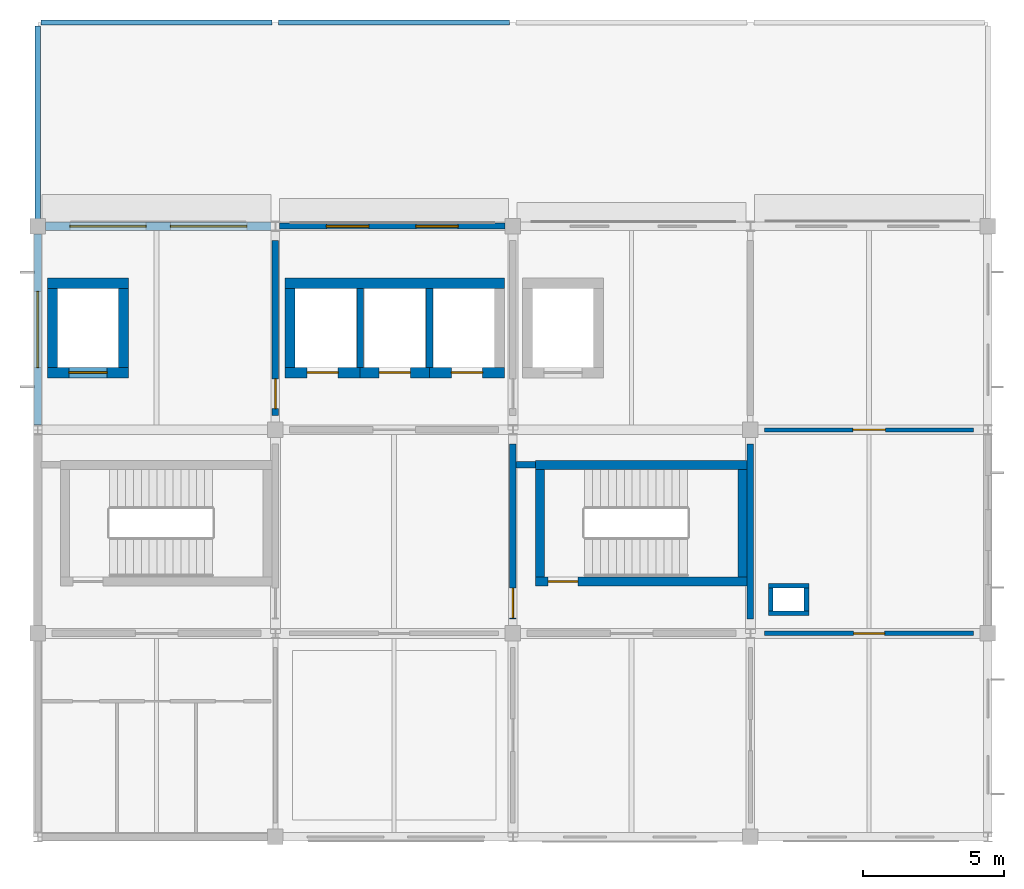
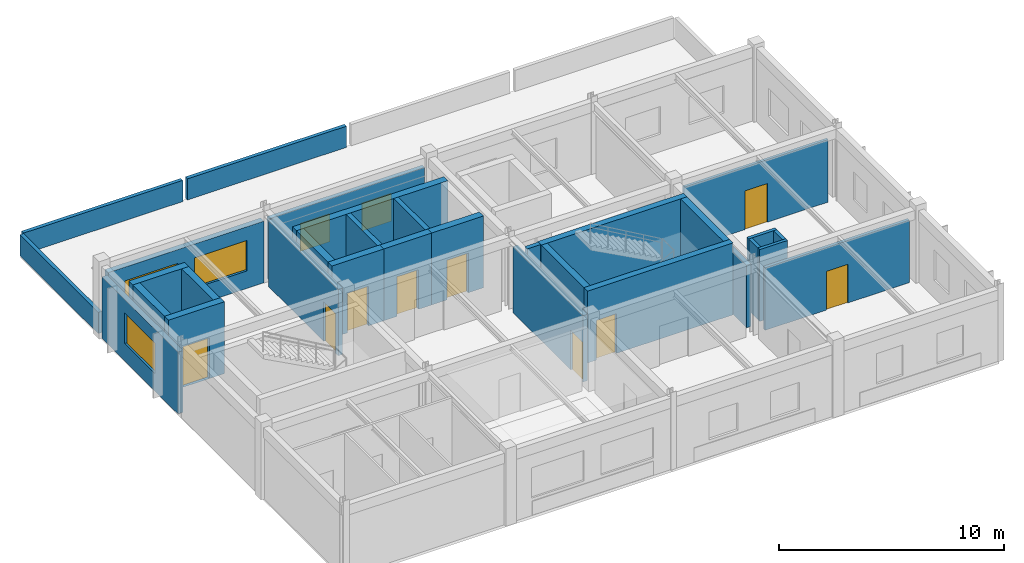
# One storey, part 3 of 5: 31 walls, 9 doors, 5 windows, 14 openings.
"""IFC4 building model written with IfcOpenShell, lengths in metres."""

from ifc_helpers import new_model, si_unit, derived_unit, direction, frame, frame_2d, origin, place, context, subcontext, project, spatial, rectangle, extrude, material, layer, layer_set, type_object, element, fill, save


model = new_model("IFC4")

# Units and contexts
model_context = context("Model", 3, precision=1e-05, world=origin(), true_north=direction((0.0, 1.0)))
body_context = subcontext(model_context, "Body", "Model", "MODEL_VIEW")
ifc_project = project(units=[si_unit("LENGTHUNIT", "METRE"), si_unit("AREAUNIT", "SQUARE_METRE"), si_unit("VOLUMEUNIT", "CUBIC_METRE"), si_unit("PLANEANGLEUNIT", "RADIAN"), si_unit("MASSUNIT", "GRAM", prefix="KILO"), derived_unit("THERMALTRANSMITTANCEUNIT", [(si_unit("MASSUNIT", "GRAM", prefix="KILO"), 1), (si_unit("TIMEUNIT", "SECOND"), -3), (si_unit("THERMODYNAMICTEMPERATUREUNIT", "KELVIN"), -1)])], contexts=[model_context])

# Site, building, storey
site_placement = place(None, origin())
site = spatial("IfcSite", under=ifc_project, at=site_placement, CompositionType="ELEMENT")
building_placement = place(site_placement, origin())
building = spatial("IfcBuilding", under=site, at=building_placement, Name="Veldstrom Oceanarium and Marine Research Institute", CompositionType="ELEMENT")
storey_placement = place(building_placement, frame((0.0, 0.0, 64.800048828125)))
storey = spatial("IfcBuildingStorey", under=building, at=storey_placement, Name="L14", CompositionType="ELEMENT", Elevation=64.800048828125)

# Wall, openings, windows
ifc_material_1 = material(Name="Masonry Cavity Wall", Category="masonry")
ifc_layer_1 = layer(ifc_material_1, 0.2900390625)
ifc_layer_set_1 = layer_set([ifc_layer_1], Name="ARC-WAL-EW2")
wall_type_1 = type_object("IfcWallType", Name="ARC-WAL-EW2", PredefinedType="SOLIDWALL", material=ifc_layer_set_1)
wall_1_placement = place(storey_placement, frame((75.875, 64.800048828125, 0.0), z_axis=(0.0, 0.0, 1.0), x_axis=(1.0, 0.0, 0.0)))
wall_1 = element("IfcWall", 1, at=wall_1_placement, inside=storey, type_object=wall_type_1, Name="Exterior Facade Wall EW2 L14-270", PredefinedType="SOLIDWALL", context=body_context, shape_type="SweptSolid", body=[
    extrude(rectangle(XDim=7.97509765625, YDim=0.2900390625, at=frame_2d((3.987548828125, 0.0))), origin(), (0.0, 0.0, 1.0), 3.344970703125),
])
opening_1_placement = place(wall_1_placement, frame((0.8583984375, 0.0, 0.949951171875)))
opening_1 = element("IfcOpeningElement", 2, at=opening_1_placement, cuts=wall_1, Name="Opening W25", PredefinedType="OPENING", context=body_context, shape_type="SweptSolid", body=[
    extrude(rectangle(XDim=2.699951171875, YDim=1.64990234375, at=frame_2d((1.35009765625, 0.824951171875))), frame((0.0, 0.155029296875, 0.0), z_axis=(0.0, -1.0, 0.0), x_axis=(1.0, 0.0, 0.0)), (0.0, 0.0, 1.0), 0.31005859375),
])
opening_2_placement = place(wall_1_placement, frame((4.416748046875, 0.0, 0.949951171875)))
opening_2 = element("IfcOpeningElement", 3, at=opening_2_placement, cuts=wall_1, Name="Opening W25", PredefinedType="OPENING", context=body_context, shape_type="SweptSolid", body=[
    extrude(rectangle(XDim=2.699951171875, YDim=1.64990234375, at=frame_2d((1.35009765625, 0.824951171875))), frame((0.0, 0.155029296875, 0.0), z_axis=(0.0, -1.0, 0.0), x_axis=(1.0, 0.0, 0.0)), (0.0, 0.0, 1.0), 0.31005859375),
])
ifc_material_2 = material(Name="Double Glazed Low-E IGU", Category="glass")
window_type_1 = type_object("IfcWindowType", Name="ARC-WIN-W25", PartitioningType="SINGLE_PANEL", PredefinedType="WINDOW", material=ifc_material_2)
window_1_placement = place(opening_1_placement, origin())
window_1 = element("IfcWindow", 4, at=window_1_placement, inside=storey, type_object=window_type_1, Name="Facade Window W25 L14-0259", OverallHeight=1.64990234375, OverallWidth=2.699951171875, PartitioningType="SINGLE_PANEL", PredefinedType="WINDOW", context=body_context, shape_type="SweptSolid", body=[
    extrude(rectangle(XDim=2.699951171875, YDim=1.64990234375, at=frame_2d((1.35009765625, 0.824951171875))), frame((0.0, 0.030029296875, 0.0), z_axis=(0.0, -1.0, 0.0), x_axis=(1.0, 0.0, 0.0)), (0.0, 0.0, 1.0), 0.06005859375),
])
fill(opening_1, window_1)
window_2_placement = place(opening_2_placement, origin())
window_2 = element("IfcWindow", 5, at=window_2_placement, inside=storey, type_object=window_type_1, Name="Facade Window W25 L14-0260", OverallHeight=1.64990234375, OverallWidth=2.699951171875, PartitioningType="SINGLE_PANEL", PredefinedType="WINDOW", context=body_context, shape_type="SweptSolid", body=[
    extrude(rectangle(XDim=2.699951171875, YDim=1.64990234375, at=frame_2d((1.35009765625, 0.824951171875))), frame((0.0, 0.030029296875, 0.0), z_axis=(0.0, -1.0, 0.0), x_axis=(1.0, 0.0, 0.0)), (0.0, 0.0, 1.0), 0.06005859375),
])
fill(opening_2, window_2)

# Wall, opening, window
ifc_material_3 = material(Name="Masonry Cavity Wall", Category="masonry")
ifc_layer_2 = layer(ifc_material_3, 0.27001953125)
ifc_layer_set_2 = layer_set([ifc_layer_2], Name="ARC-WAL-EW3")
wall_type_2 = type_object("IfcWallType", Name="ARC-WAL-EW3", PredefinedType="SOLIDWALL", material=ifc_layer_set_2)
wall_2_placement = place(storey_placement, frame((75.60009765625, 57.77001953125, 0.0), z_axis=(0.0, 0.0, 1.0), x_axis=(0.0, 1.0, 0.0)))
wall_2 = element("IfcWall", 6, at=wall_2_placement, inside=storey, type_object=wall_type_2, Name="Exterior Facade Wall EW3 L14-271", PredefinedType="SOLIDWALL", context=body_context, shape_type="SweptSolid", body=[
    extrude(rectangle(XDim=6.7548828125, YDim=0.27001953125, at=frame_2d((3.37744140625, 0.0))), origin(), (0.0, 0.0, 1.0), 3.344970703125),
])
opening_3_placement = place(wall_2_placement, frame((2.027587890625, 0.0, 0.949951171875)))
opening_3 = element("IfcOpeningElement", 7, at=opening_3_placement, cuts=wall_2, Name="Opening W25", PredefinedType="OPENING", context=body_context, shape_type="SweptSolid", body=[
    extrude(rectangle(XDim=2.699951171875, YDim=1.64990234375, at=frame_2d((1.35009765625, 0.824951171875))), frame((0.0, 0.14501953125, 0.0), z_axis=(0.0, -1.0, 0.0), x_axis=(1.0, 0.0, 0.0)), (0.0, 0.0, 1.0), 0.2900390625),
])
window_3_placement = place(opening_3_placement, origin())
window_3 = element("IfcWindow", 8, at=window_3_placement, inside=storey, type_object=window_type_1, Name="Facade Window W25 L14-0261", OverallHeight=1.64990234375, OverallWidth=2.699951171875, PartitioningType="SINGLE_PANEL", PredefinedType="WINDOW", context=body_context, shape_type="SweptSolid", body=[
    extrude(rectangle(XDim=2.699951171875, YDim=1.64990234375, at=frame_2d((1.35009765625, 0.824951171875))), frame((0.0, 0.030029296875, 0.0), z_axis=(0.0, -1.0, 0.0), x_axis=(1.0, 0.0, 0.0)), (0.0, 0.0, 1.0), 0.06005859375),
])
fill(opening_3, window_3)

# Wall, openings, windows
ifc_material_4 = material(Name="Masonry Cavity Wall", Category="masonry")
ifc_layer_3 = layer(ifc_material_4, 0.215087890625)
ifc_layer_set_3 = layer_set([ifc_layer_3], Name="ARC-WAL-EW6")
wall_type_3 = type_object("IfcWallType", Name="ARC-WAL-EW6", PredefinedType="SOLIDWALL", material=ifc_layer_set_3)
wall_3_placement = place(storey_placement, frame((84.14990234375, 64.800048828125, 0.0), z_axis=(0.0, 0.0, 1.0), x_axis=(1.0, 0.0, 0.0)))
wall_3 = element("IfcWall", 9, at=wall_3_placement, inside=storey, type_object=wall_type_3, Name="Exterior Facade Wall EW6 L14-273", PredefinedType="SOLIDWALL", context=body_context, shape_type="SweptSolid", body=[
    extrude(rectangle(XDim=7.97509765625, YDim=0.215087890625, at=frame_2d((3.987548828125, 0.0))), origin(), (0.0, 0.0, 1.0), 3.344970703125),
])
opening_4_placement = place(wall_3_placement, frame((1.658203125, 0.0, 0.949951171875)))
opening_4 = element("IfcOpeningElement", 10, at=opening_4_placement, cuts=wall_3, Name="Opening W15", PredefinedType="OPENING", context=body_context, shape_type="SweptSolid", body=[
    extrude(rectangle(XDim=1.5, YDim=1.5, at=frame_2d((0.75, 0.75))), frame((0.0, 0.117431640625, 0.0), z_axis=(0.0, -1.0, 0.0), x_axis=(1.0, 0.0, 0.0)), (0.0, 0.0, 1.0), 0.235107421875),
])
opening_5_placement = place(wall_3_placement, frame((4.816650390625, 0.0, 0.949951171875)))
opening_5 = element("IfcOpeningElement", 11, at=opening_5_placement, cuts=wall_3, Name="Opening W15", PredefinedType="OPENING", context=body_context, shape_type="SweptSolid", body=[
    extrude(rectangle(XDim=1.5, YDim=1.5, at=frame_2d((0.75, 0.75))), frame((0.0, 0.117431640625, 0.0), z_axis=(0.0, -1.0, 0.0), x_axis=(1.0, 0.0, 0.0)), (0.0, 0.0, 1.0), 0.235107421875),
])
ifc_material_5 = material(Name="Double Glazed Low-E IGU", Category="glass")
window_type_2 = type_object("IfcWindowType", Name="ARC-WIN-W15", PartitioningType="SINGLE_PANEL", PredefinedType="WINDOW", material=ifc_material_5)
window_4_placement = place(opening_4_placement, origin())
window_4 = element("IfcWindow", 12, at=window_4_placement, inside=storey, type_object=window_type_2, Name="Facade Window W15 L14-0264", OverallHeight=1.5, OverallWidth=1.5, PartitioningType="SINGLE_PANEL", PredefinedType="WINDOW", context=body_context, shape_type="SweptSolid", body=[
    extrude(rectangle(XDim=1.5, YDim=1.5, at=frame_2d((0.75, 0.75))), frame((0.0, 0.030029296875, 0.0), z_axis=(0.0, -1.0, 0.0), x_axis=(1.0, 0.0, 0.0)), (0.0, 0.0, 1.0), 0.06005859375),
])
fill(opening_4, window_4)
window_5_placement = place(opening_5_placement, origin())
window_5 = element("IfcWindow", 13, at=window_5_placement, inside=storey, type_object=window_type_2, Name="Facade Window W15 L14-0265", OverallHeight=1.5, OverallWidth=1.5, PartitioningType="SINGLE_PANEL", PredefinedType="WINDOW", context=body_context, shape_type="SweptSolid", body=[
    extrude(rectangle(XDim=1.5, YDim=1.5, at=frame_2d((0.75, 0.75))), frame((0.0, 0.030029296875, 0.0), z_axis=(0.0, -1.0, 0.0), x_axis=(1.0, 0.0, 0.0)), (0.0, 0.0, 1.0), 0.06005859375),
])
fill(opening_5, window_5)

# Walls
ifc_material_6 = material(Name="Masonry Cavity Wall", Category="masonry")
ifc_layer_4 = layer(ifc_material_6, 0.18505859375)
ifc_layer_set_4 = layer_set([ifc_layer_4], Name="ARC-WAL-PR2")
wall_type_4 = type_object("IfcWallType", Name="ARC-WAL-PR2", PredefinedType="PARAPET", material=ifc_layer_set_4)
wall_4_placement = place(storey_placement, frame((75.719970703125, 72.0, 0.0), z_axis=(0.0, 0.0, 1.0), x_axis=(1.0, 0.0, 0.0)))
element("IfcWall", 14, at=wall_4_placement, inside=storey, type_object=wall_type_4, Name="Roof Parapet Wall L13-107", PredefinedType="PARAPET", context=body_context, shape_type="SweptSolid", body=[
    extrude(rectangle(XDim=8.159912109375, YDim=0.18505859375, at=frame_2d((4.080078125, 0.0))), origin(), (0.0, 0.0, 1.0), 1.14990234375),
])
wall_5_placement = place(storey_placement, frame((75.60009765625, 64.919921875, 0.0), z_axis=(0.0, 0.0, 1.0), x_axis=(0.0, 1.0, 0.0)))
element("IfcWall", 15, at=wall_5_placement, inside=storey, type_object=wall_type_4, Name="Roof Parapet Wall L13-108", PredefinedType="PARAPET", context=body_context, shape_type="SweptSolid", body=[
    extrude(rectangle(XDim=6.9599609375, YDim=0.18505859375, at=frame_2d((3.47998046875, 0.0))), origin(), (0.0, 0.0, 1.0), 1.14990234375),
])
wall_6_placement = place(storey_placement, frame((84.1201171875, 72.0, 0.0), z_axis=(0.0, 0.0, 1.0), x_axis=(1.0, 0.0, 0.0)))
element("IfcWall", 16, at=wall_6_placement, inside=storey, type_object=wall_type_4, Name="Roof Parapet Wall L13-109", PredefinedType="PARAPET", context=body_context, shape_type="SweptSolid", body=[
    extrude(rectangle(XDim=8.159912109375, YDim=0.18505859375, at=frame_2d((4.080078125, 0.0))), origin(), (0.0, 0.0, 1.0), 1.14990234375),
])

# Wall, opening, door
ifc_material_7 = material(Name="Masonry Fire Compartment Wall", Category="masonry")
ifc_layer_5 = layer(ifc_material_7, 0.22998046875)
ifc_layer_set_5 = layer_set([ifc_layer_5], Name="ARC-WAL-PT1")
wall_type_5 = type_object("IfcWallType", Name="ARC-WAL-PT1", PredefinedType="PARTITIONING", material=ifc_layer_set_5)
wall_7_placement = place(storey_placement, frame((84.0, 58.10009765625, 0.0), z_axis=(0.0, 0.0, 1.0), x_axis=(0.0, 1.0, 0.0)))
wall_7 = element("IfcWall", 17, at=wall_7_placement, inside=storey, type_object=wall_type_5, Name="Interior Partition PT1 L14-1772", PredefinedType="PARTITIONING", context=body_context, shape_type="SweptSolid", body=[
    extrude(rectangle(XDim=6.199951171875, YDim=0.22998046875, at=frame_2d((3.10009765625, 0.0))), origin(), (0.0, 0.0, 1.0), 3.60498046875),
])
opening_6_placement = place(wall_7_placement, frame((0.25, 0.0, 0.0)))
opening_6 = element("IfcOpeningElement", 18, at=opening_6_placement, cuts=wall_7, Name="Opening D-L14-1096", PredefinedType="OPENING", context=body_context, shape_type="SweptSolid", body=[
    extrude(rectangle(XDim=1.050048828125, YDim=2.14990234375, at=frame_2d((0.52490234375, 1.074951171875))), frame((0.0, 0.125, 0.0), z_axis=(0.0, -1.0, 0.0), x_axis=(1.0, 0.0, 0.0)), (0.0, 0.0, 1.0), 0.25),
])
ifc_material_8 = material(Name="Painted Steel Fire Door", Category="steel")
door_type_1 = type_object("IfcDoorType", Name="ARC-DOR-SD1", OperationType="SINGLE_SWING_LEFT", PredefinedType="DOOR", material=ifc_material_8)
door_1_placement = place(opening_6_placement, origin())
door_1 = element("IfcDoor", 19, at=door_1_placement, inside=storey, type_object=door_type_1, Name="Interior Door D-L14-1096", OperationType="SINGLE_SWING_LEFT", OverallHeight=2.14990234375, OverallWidth=1.050048828125, PredefinedType="DOOR", context=body_context, shape_type="SweptSolid", body=[
    extrude(rectangle(XDim=1.050048828125, YDim=2.14990234375, at=frame_2d((0.52490234375, 1.074951171875))), frame((0.0, 0.02490234375, 0.0), z_axis=(0.0, -1.0, 0.0), x_axis=(1.0, 0.0, 0.0)), (0.0, 0.0, 1.0), 0.050048828125),
])
fill(opening_6, door_1)

wall_8_placement = place(storey_placement, frame((92.39990234375, 50.89990234375, 0.0), z_axis=(0.0, 0.0, 1.0), x_axis=(0.0, 1.0, 0.0)))
wall_8 = element("IfcWall", 20, at=wall_8_placement, inside=storey, type_object=wall_type_5, Name="Interior Partition PT1 L14-1775", PredefinedType="PARTITIONING", context=body_context, shape_type="SweptSolid", body=[
    extrude(rectangle(XDim=6.2001953125, YDim=0.22998046875, at=frame_2d((3.10009765625, 0.0))), origin(), (0.0, 0.0, 1.0), 3.60498046875),
])
opening_7_placement = place(wall_8_placement, frame((0.050048828125, 0.0, 0.0)))
opening_7 = element("IfcOpeningElement", 21, at=opening_7_placement, cuts=wall_8, Name="Opening D-L14-1099", PredefinedType="OPENING", context=body_context, shape_type="SweptSolid", body=[
    extrude(rectangle(XDim=1.050048828125, YDim=2.14990234375, at=frame_2d((0.52490234375, 1.074951171875))), frame((0.0, 0.125, 0.0), z_axis=(0.0, -1.0, 0.0), x_axis=(1.0, 0.0, 0.0)), (0.0, 0.0, 1.0), 0.25),
])
door_2_placement = place(opening_7_placement, origin())
door_2 = element("IfcDoor", 22, at=door_2_placement, inside=storey, type_object=door_type_1, Name="Interior Door D-L14-1099", OperationType="SINGLE_SWING_LEFT", OverallHeight=2.14990234375, OverallWidth=1.050048828125, PredefinedType="DOOR", context=body_context, shape_type="SweptSolid", body=[
    extrude(rectangle(XDim=1.050048828125, YDim=2.14990234375, at=frame_2d((0.52490234375, 1.074951171875))), frame((0.0, 0.02490234375, 0.0), z_axis=(0.0, -1.0, 0.0), x_axis=(1.0, 0.0, 0.0)), (0.0, 0.0, 1.0), 0.050048828125),
])
fill(opening_7, door_2)

# Walls
wall_9_placement = place(storey_placement, frame((100.800048828125, 50.89990234375, 0.0), z_axis=(0.0, 0.0, 1.0), x_axis=(0.0, 1.0, 0.0)))
element("IfcWall", 23, at=wall_9_placement, inside=storey, type_object=wall_type_5, Name="Interior Partition PT1 L14-1780", PredefinedType="PARTITIONING", context=body_context, shape_type="SweptSolid", body=[
    extrude(rectangle(XDim=6.2001953125, YDim=0.22998046875, at=frame_2d((3.10009765625, 0.0))), origin(), (0.0, 0.0, 1.0), 3.39501953125),
])
wall_10_placement = place(storey_placement, frame((92.52001953125, 56.360107421875, 0.0), z_axis=(0.0, 0.0, 1.0), x_axis=(1.0, 0.0, 0.0)))
element("IfcWall", 24, at=wall_10_placement, inside=storey, type_object=wall_type_5, Name="Interior Partition PT1 L14-1781", PredefinedType="PARTITIONING", context=body_context, shape_type="SweptSolid", body=[
    extrude(rectangle(XDim=0.679931640625, YDim=0.22998046875, at=frame_2d((0.33984375, 0.0))), origin(), (0.0, 0.0, 1.0), 3.89990234375),
])

# Wall, opening, door
ifc_material_9 = material(Name="Drywall Corridor Partition", Category="gypsum")
ifc_layer_6 = layer(ifc_material_9, 0.155029296875)
ifc_layer_set_6 = layer_set([ifc_layer_6], Name="ARC-WAL-PT4")
wall_type_6 = type_object("IfcWallType", Name="ARC-WAL-PT4", PredefinedType="PARTITIONING", material=ifc_layer_set_6)
wall_11_placement = place(storey_placement, frame((101.300048828125, 50.39990234375, 0.0), z_axis=(0.0, 0.0, 1.0), x_axis=(1.0, 0.0, 0.0)))
wall_11 = element("IfcWall", 25, at=wall_11_placement, inside=storey, type_object=wall_type_6, Name="Interior Partition PT4 L14-1783", PredefinedType="PARTITIONING", context=body_context, shape_type="SweptSolid", body=[
    extrude(rectangle(XDim=7.39990234375, YDim=0.155029296875, at=frame_2d((3.699951171875, 0.0))), origin(), (0.0, 0.0, 1.0), 3.39501953125),
])
opening_8_placement = place(wall_11_placement, frame((3.14990234375, 0.0, 0.0)))
opening_8 = element("IfcOpeningElement", 26, at=opening_8_placement, cuts=wall_11, Name="Opening D-L14-1104", PredefinedType="OPENING", context=body_context, shape_type="SweptSolid", body=[
    extrude(rectangle(XDim=1.10009765625, YDim=2.10009765625, at=frame_2d((0.550048828125, 1.050048828125))), frame((0.0, 0.08740234375, 0.0), z_axis=(0.0, -1.0, 0.0), x_axis=(1.0, 0.0, 0.0)), (0.0, 0.0, 1.0), 0.175048828125),
])
ifc_material_10 = material(Name="Research Office Door", Category="timber")
door_type_2 = type_object("IfcDoorType", Name="ARC-DOR-ID07", OperationType="SINGLE_SWING_LEFT", PredefinedType="DOOR", material=ifc_material_10)
door_3_placement = place(opening_8_placement, origin())
door_3 = element("IfcDoor", 27, at=door_3_placement, inside=storey, type_object=door_type_2, Name="Interior Door D-L14-1104", OperationType="SINGLE_SWING_LEFT", OverallHeight=2.10009765625, OverallWidth=1.10009765625, PredefinedType="DOOR", context=body_context, shape_type="SweptSolid", body=[
    extrude(rectangle(XDim=1.10009765625, YDim=2.10009765625, at=frame_2d((0.550048828125, 1.050048828125))), frame((0.0, 0.02490234375, 0.0), z_axis=(0.0, -1.0, 0.0), x_axis=(1.0, 0.0, 0.0)), (0.0, 0.0, 1.0), 0.050048828125),
])
fill(opening_8, door_3)

ifc_material_11 = material(Name="Moisture-Resistant Wet-Area Partition", Category="masonry")
ifc_layer_7 = layer(ifc_material_11, 0.139892578125)
ifc_layer_set_7 = layer_set([ifc_layer_7], Name="ARC-WAL-PT5")
wall_type_7 = type_object("IfcWallType", Name="ARC-WAL-PT5", PredefinedType="PARTITIONING", material=ifc_layer_set_7)
wall_12_placement = place(storey_placement, frame((101.300048828125, 57.60009765625, 0.0), z_axis=(0.0, 0.0, 1.0), x_axis=(1.0, 0.0, 0.0)))
wall_12 = element("IfcWall", 28, at=wall_12_placement, inside=storey, type_object=wall_type_7, Name="Interior Partition PT5 L14-1784", PredefinedType="PARTITIONING", context=body_context, shape_type="SweptSolid", body=[
    extrude(rectangle(XDim=7.39990234375, YDim=0.139892578125, at=frame_2d((3.699951171875, 0.0))), origin(), (0.0, 0.0, 1.0), 3.39501953125),
])
opening_9_placement = place(wall_12_placement, frame((3.125, 0.0, 0.0)))
opening_9 = element("IfcOpeningElement", 29, at=opening_9_placement, cuts=wall_12, Name="Opening D-L14-1105", PredefinedType="OPENING", context=body_context, shape_type="SweptSolid", body=[
    extrude(rectangle(XDim=1.14990234375, YDim=2.10009765625, at=frame_2d((0.574951171875, 1.050048828125))), frame((0.0, 0.079833984375, 0.0), z_axis=(0.0, -1.0, 0.0), x_axis=(1.0, 0.0, 0.0)), (0.0, 0.0, 1.0), 0.159912109375),
])
ifc_material_12 = material(Name="Fellows Studio Door", Category="timber")
door_type_3 = type_object("IfcDoorType", Name="ARC-DOR-ID17", OperationType="SINGLE_SWING_LEFT", PredefinedType="DOOR", material=ifc_material_12)
door_4_placement = place(opening_9_placement, frame((1.14990234375, 0.0, 0.0), z_axis=(0.0, 0.0, 1.0), x_axis=(-1.0, 0.0, 0.0)))
door_4 = element("IfcDoor", 30, at=door_4_placement, inside=storey, type_object=door_type_3, Name="Interior Door D-L14-1105", OperationType="SINGLE_SWING_LEFT", OverallHeight=2.10009765625, OverallWidth=1.14990234375, PredefinedType="DOOR", context=body_context, shape_type="SweptSolid", body=[
    extrude(rectangle(XDim=1.14990234375, YDim=2.10009765625, at=frame_2d((0.574951171875, 1.050048828125))), frame((0.0, 0.02490234375, 0.0), z_axis=(0.0, -1.0, 0.0), x_axis=(1.0, 0.0, 0.0)), (0.0, 0.0, 1.0), 0.050048828125),
])
fill(opening_9, door_4)

# Walls
ifc_material_13 = material(Name="Service Riser Fire Shaft Wall", Category="masonry")
ifc_layer_8 = layer(ifc_material_13, 0.1650390625)
ifc_layer_set_8 = layer_set([ifc_layer_8], Name="ARC-WAL-PT9")
wall_type_8 = type_object("IfcWallType", Name="ARC-WAL-PT9", PredefinedType="PARTITIONING", material=ifc_layer_set_8)
for number, where, z_axis, x_axis, name in (
    (31, (101.43505859375, 51.117431640625, 0.0), (0.0, 0.0, 1.0), (1.0, 0.0, 0.0), "Service Riser Fire Shaft Wall L14-CE-S"),
    (32, (101.43505859375, 52.08251953125, 0.0), (0.0, 0.0, 1.0), (1.0, 0.0, 0.0), "Service Riser Fire Shaft Wall L14-CE-N"),
):
    element("IfcWall", number, at=place(storey_placement, frame(where, z_axis=z_axis, x_axis=x_axis)), inside=storey, type_object=wall_type_8, Name=name, PredefinedType="PARTITIONING", context=body_context, shape_type="SweptSolid", body=[
        extrude(rectangle(XDim=1.429931640625, YDim=0.1650390625, at=frame_2d((0.71484375, 0.0))), origin(), (0.0, 0.0, 1.0), 3.89990234375),
    ])
for number, where, z_axis, x_axis, name in (
    (33, (101.517578125, 51.199951171875, 0.0), (0.0, 0.0, 1.0), (0.0, 1.0, 0.0), "Service Riser Fire Shaft Wall L14-CE-W"),
    (34, (102.782470703125, 51.199951171875, 0.0), (0.0, 0.0, 1.0), (0.0, 1.0, 0.0), "Service Riser Fire Shaft Wall L14-CE-E"),
):
    element("IfcWall", number, at=place(storey_placement, frame(where, z_axis=z_axis, x_axis=x_axis)), inside=storey, type_object=wall_type_8, Name=name, PredefinedType="PARTITIONING", context=body_context, shape_type="SweptSolid", body=[
        extrude(rectangle(XDim=0.800048828125, YDim=0.1650390625, at=frame_2d((0.39990234375, 0.0))), origin(), (0.0, 0.0, 1.0), 3.89990234375),
    ])
ifc_material_14 = material(Name="Concrete C40/50", Category="concrete")
ifc_layer_9 = layer(ifc_material_14, 0.360107421875)
ifc_layer_set_9 = layer_set([ifc_layer_9], Name="STR-WAL-WC2")
wall_type_9 = type_object("IfcWallType", Name="STR-WAL-WC2", PredefinedType="SHEAR", material=ifc_layer_set_9)
wall_13_placement = place(storey_placement, frame((75.93994140625, 62.780029296875, 0.0), z_axis=(0.0, 0.0, 1.0), x_axis=(1.0, 0.0, 0.0)))
element("IfcWall", 35, at=wall_13_placement, inside=storey, type_object=wall_type_9, Name="Lift Shaft Shear Wall N L14 9/8", PredefinedType="SHEAR", context=body_context, shape_type="SweptSolid", body=[
    extrude(rectangle(XDim=2.8701171875, YDim=0.360107421875, at=frame_2d((1.43505859375, 0.0))), origin(), (0.0, 0.0, 1.0), 3.89990234375),
])

# Wall, opening, door
wall_14_placement = place(storey_placement, frame((75.93994140625, 59.6201171875, 0.0), z_axis=(0.0, 0.0, 1.0), x_axis=(1.0, 0.0, 0.0)))
wall_14 = element("IfcWall", 36, at=wall_14_placement, inside=storey, type_object=wall_type_9, Name="Lift Shaft Front Shear Wall LF1 L14", PredefinedType="SHEAR", context=body_context, shape_type="SweptSolid", body=[
    extrude(rectangle(XDim=2.8701171875, YDim=0.360107421875, at=frame_2d((1.43505859375, 0.0))), origin(), (0.0, 0.0, 1.0), 3.89990234375),
])
opening_10_placement = place(wall_14_placement, frame((0.760009765625, 0.0, 0.0)))
opening_10 = element("IfcOpeningElement", 37, at=opening_10_placement, cuts=wall_14, Name="Opening LD-LF1-L14", PredefinedType="OPENING", context=body_context, shape_type="SweptSolid", body=[
    extrude(rectangle(XDim=1.35009765625, YDim=2.199951171875, at=frame_2d((0.675048828125, 1.10009765625))), frame((0.0, 0.18994140625, 0.0), z_axis=(0.0, -1.0, 0.0), x_axis=(1.0, 0.0, 0.0)), (0.0, 0.0, 1.0), 0.380126953125),
])
ifc_material_15 = material(Name="Stainless Steel Lift Landing Door", Category="steel")
door_type_4 = type_object("IfcDoorType", Name="ARC-DOR-LD3", OperationType="DOUBLE_DOOR_SLIDING", PredefinedType="DOOR", material=ifc_material_15)
door_5_placement = place(opening_10_placement, origin())
door_5 = element("IfcDoor", 38, at=door_5_placement, inside=storey, type_object=door_type_4, Name="Lift Landing Door LD-LF1-L14", OperationType="DOUBLE_DOOR_SLIDING", OverallHeight=2.199951171875, OverallWidth=1.35009765625, PredefinedType="DOOR", context=body_context, shape_type="SweptSolid", body=[
    extrude(rectangle(XDim=1.35009765625, YDim=2.199951171875, at=frame_2d((0.675048828125, 1.10009765625))), frame((0.0, 0.02490234375, 0.0), z_axis=(0.0, -1.0, 0.0), x_axis=(1.0, 0.0, 0.0)), (0.0, 0.0, 1.0), 0.050048828125),
])
fill(opening_10, door_5)

# Walls
for number, where, z_axis, x_axis, name in (
    (39, (76.1201171875, 59.800048828125, 0.0), (0.0, 0.0, 1.0), (0.0, 1.0, 0.0), "Lift Shaft Shear Wall W L14 9/8"),
    (40, (78.6298828125, 59.800048828125, 0.0), (0.0, 0.0, 1.0), (0.0, 1.0, 0.0), "Lift Shaft Shear Wall E L14 9/8"),
):
    element("IfcWall", number, at=place(storey_placement, frame(where, z_axis=z_axis, x_axis=x_axis)), inside=storey, type_object=wall_type_9, Name=name, PredefinedType="SHEAR", context=body_context, shape_type="SweptSolid", body=[
        extrude(rectangle(XDim=2.800048828125, YDim=0.360107421875, at=frame_2d((1.39990234375, 0.0))), origin(), (0.0, 0.0, 1.0), 3.89990234375),
    ])
wall_15_placement = place(storey_placement, frame((84.340087890625, 62.780029296875, 0.0), z_axis=(0.0, 0.0, 1.0), x_axis=(1.0, 0.0, 0.0)))
element("IfcWall", 41, at=wall_15_placement, inside=storey, type_object=wall_type_9, Name="Lift Shaft Shear Wall N L14 10/8", PredefinedType="SHEAR", context=body_context, shape_type="SweptSolid", body=[
    extrude(rectangle(XDim=7.77001953125, YDim=0.360107421875, at=frame_2d((3.885009765625, 0.0))), origin(), (0.0, 0.0, 1.0), 3.89990234375),
])

# Wall, opening, door
wall_16_placement = place(storey_placement, frame((84.340087890625, 59.6201171875, 0.0), z_axis=(0.0, 0.0, 1.0), x_axis=(1.0, 0.0, 0.0)))
wall_16 = element("IfcWall", 42, at=wall_16_placement, inside=storey, type_object=wall_type_9, Name="Lift Shaft Front Shear Wall LP1 L14", PredefinedType="SHEAR", context=body_context, shape_type="SweptSolid", body=[
    extrude(rectangle(XDim=2.659912109375, YDim=0.360107421875, at=frame_2d((1.330078125, 0.0))), origin(), (0.0, 0.0, 1.0), 3.89990234375),
])
opening_11_placement = place(wall_16_placement, frame((0.780029296875, 0.0, 0.0)))
opening_11 = element("IfcOpeningElement", 43, at=opening_11_placement, cuts=wall_16, Name="Opening LD-LP1-L14", PredefinedType="OPENING", context=body_context, shape_type="SweptSolid", body=[
    extrude(rectangle(XDim=1.10009765625, YDim=2.14990234375, at=frame_2d((0.550048828125, 1.074951171875))), frame((0.0, 0.18994140625, 0.0), z_axis=(0.0, -1.0, 0.0), x_axis=(1.0, 0.0, 0.0)), (0.0, 0.0, 1.0), 0.380126953125),
])
ifc_material_16 = material(Name="Stainless Steel Lift Landing Door", Category="steel")
door_type_5 = type_object("IfcDoorType", Name="ARC-DOR-LD1", OperationType="DOUBLE_DOOR_SLIDING", PredefinedType="DOOR", material=ifc_material_16)
door_6_placement = place(opening_11_placement, origin())
door_6 = element("IfcDoor", 44, at=door_6_placement, inside=storey, type_object=door_type_5, Name="Lift Landing Door LD-LP1-L14", OperationType="DOUBLE_DOOR_SLIDING", OverallHeight=2.14990234375, OverallWidth=1.10009765625, PredefinedType="DOOR", context=body_context, shape_type="SweptSolid", body=[
    extrude(rectangle(XDim=1.10009765625, YDim=2.14990234375, at=frame_2d((0.550048828125, 1.074951171875))), frame((0.0, 0.02490234375, 0.0), z_axis=(0.0, -1.0, 0.0), x_axis=(1.0, 0.0, 0.0)), (0.0, 0.0, 1.0), 0.050048828125),
])
fill(opening_11, door_6)

wall_17_placement = place(storey_placement, frame((87.0, 59.6201171875, 0.0), z_axis=(0.0, 0.0, 1.0), x_axis=(1.0, 0.0, 0.0)))
wall_17 = element("IfcWall", 45, at=wall_17_placement, inside=storey, type_object=wall_type_9, Name="Lift Shaft Front Shear Wall LP2 L14", PredefinedType="SHEAR", context=body_context, shape_type="SweptSolid", body=[
    extrude(rectangle(XDim=2.449951171875, YDim=0.360107421875, at=frame_2d((1.22509765625, 0.0))), origin(), (0.0, 0.0, 1.0), 3.89990234375),
])
opening_12_placement = place(wall_17_placement, frame((0.675048828125, 0.0, 0.0)))
opening_12 = element("IfcOpeningElement", 46, at=opening_12_placement, cuts=wall_17, Name="Opening LD-LP2-L14", PredefinedType="OPENING", context=body_context, shape_type="SweptSolid", body=[
    extrude(rectangle(XDim=1.10009765625, YDim=2.14990234375, at=frame_2d((0.550048828125, 1.074951171875))), frame((0.0, 0.18994140625, 0.0), z_axis=(0.0, -1.0, 0.0), x_axis=(1.0, 0.0, 0.0)), (0.0, 0.0, 1.0), 0.380126953125),
])
door_7_placement = place(opening_12_placement, origin())
door_7 = element("IfcDoor", 47, at=door_7_placement, inside=storey, type_object=door_type_5, Name="Lift Landing Door LD-LP2-L14", OperationType="DOUBLE_DOOR_SLIDING", OverallHeight=2.14990234375, OverallWidth=1.10009765625, PredefinedType="DOOR", context=body_context, shape_type="SweptSolid", body=[
    extrude(rectangle(XDim=1.10009765625, YDim=2.14990234375, at=frame_2d((0.550048828125, 1.074951171875))), frame((0.0, 0.02490234375, 0.0), z_axis=(0.0, -1.0, 0.0), x_axis=(1.0, 0.0, 0.0)), (0.0, 0.0, 1.0), 0.050048828125),
])
fill(opening_12, door_7)

wall_18_placement = place(storey_placement, frame((89.449951171875, 59.6201171875, 0.0), z_axis=(0.0, 0.0, 1.0), x_axis=(1.0, 0.0, 0.0)))
wall_18 = element("IfcWall", 48, at=wall_18_placement, inside=storey, type_object=wall_type_9, Name="Lift Shaft Front Shear Wall LP3 L14", PredefinedType="SHEAR", context=body_context, shape_type="SweptSolid", body=[
    extrude(rectangle(XDim=2.66015625, YDim=0.360107421875, at=frame_2d((1.330078125, 0.0))), origin(), (0.0, 0.0, 1.0), 3.89990234375),
])
opening_13_placement = place(wall_18_placement, frame((0.780029296875, 0.0, 0.0)))
opening_13 = element("IfcOpeningElement", 49, at=opening_13_placement, cuts=wall_18, Name="Opening LD-LP3-L14", PredefinedType="OPENING", context=body_context, shape_type="SweptSolid", body=[
    extrude(rectangle(XDim=1.10009765625, YDim=2.14990234375, at=frame_2d((0.550048828125, 1.074951171875))), frame((0.0, 0.18994140625, 0.0), z_axis=(0.0, -1.0, 0.0), x_axis=(1.0, 0.0, 0.0)), (0.0, 0.0, 1.0), 0.380126953125),
])
door_8_placement = place(opening_13_placement, origin())
door_8 = element("IfcDoor", 50, at=door_8_placement, inside=storey, type_object=door_type_5, Name="Lift Landing Door LD-LP3-L14", OperationType="DOUBLE_DOOR_SLIDING", OverallHeight=2.14990234375, OverallWidth=1.10009765625, PredefinedType="DOOR", context=body_context, shape_type="SweptSolid", body=[
    extrude(rectangle(XDim=1.10009765625, YDim=2.14990234375, at=frame_2d((0.550048828125, 1.074951171875))), frame((0.0, 0.02490234375, 0.0), z_axis=(0.0, -1.0, 0.0), x_axis=(1.0, 0.0, 0.0)), (0.0, 0.0, 1.0), 0.050048828125),
])
fill(opening_13, door_8)

# Wall
wall_19_placement = place(storey_placement, frame((84.52001953125, 59.800048828125, 0.0), z_axis=(0.0, 0.0, 1.0), x_axis=(0.0, 1.0, 0.0)))
element("IfcWall", 51, at=wall_19_placement, inside=storey, type_object=wall_type_9, Name="Lift Shaft Shear Wall W L14 10/8", PredefinedType="SHEAR", context=body_context, shape_type="SweptSolid", body=[
    extrude(rectangle(XDim=2.800048828125, YDim=0.360107421875, at=frame_2d((1.39990234375, 0.0))), origin(), (0.0, 0.0, 1.0), 3.89990234375),
])

# Wall, opening, door
ifc_material_17 = material(Name="Concrete C40/50", Category="concrete")
ifc_layer_10 = layer(ifc_material_17, 0.320068359375)
ifc_layer_set_10 = layer_set([ifc_layer_10], Name="STR-WAL-WC3")
wall_type_10 = type_object("IfcWallType", Name="STR-WAL-WC3", PredefinedType="SHEAR", material=ifc_layer_set_10)
wall_20_placement = place(storey_placement, frame((93.199951171875, 52.239990234375, 0.0), z_axis=(0.0, 0.0, 1.0), x_axis=(1.0, 0.0, 0.0)))
wall_20 = element("IfcWall", 52, at=wall_20_placement, inside=storey, type_object=wall_type_10, Name="Stair Core Shear Wall SC2-L14-S", PredefinedType="SHEAR", context=body_context, shape_type="SweptSolid", body=[
    extrude(rectangle(XDim=7.47998046875, YDim=0.320068359375, at=frame_2d((3.739990234375, 0.0))), origin(), (0.0, 0.0, 1.0), 3.89990234375),
])
opening_14_placement = place(wall_20_placement, frame((0.449951171875, 0.0, 0.0)))
opening_14 = element("IfcOpeningElement", 53, at=opening_14_placement, cuts=wall_20, Name="Opening D-ST2-L14", PredefinedType="OPENING", context=body_context, shape_type="SweptSolid", body=[
    extrude(rectangle(XDim=1.050048828125, YDim=2.14990234375, at=frame_2d((0.52490234375, 1.074951171875))), frame((0.0, 0.169921875, 0.0), z_axis=(0.0, -1.0, 0.0), x_axis=(1.0, 0.0, 0.0)), (0.0, 0.0, 1.0), 0.340087890625),
])
door_9_placement = place(opening_14_placement, origin())
door_9 = element("IfcDoor", 54, at=door_9_placement, inside=storey, type_object=door_type_1, Name="Escape Stair Fire Door D-ST2-L14", OperationType="SINGLE_SWING_LEFT", OverallHeight=2.14990234375, OverallWidth=1.050048828125, PredefinedType="DOOR", context=body_context, shape_type="SweptSolid", body=[
    extrude(rectangle(XDim=1.050048828125, YDim=2.14990234375, at=frame_2d((0.52490234375, 1.074951171875))), frame((0.0, 0.02490234375, 0.0), z_axis=(0.0, -1.0, 0.0), x_axis=(1.0, 0.0, 0.0)), (0.0, 0.0, 1.0), 0.050048828125),
])
fill(opening_14, door_9)

# Walls
wall_21_placement = place(storey_placement, frame((93.199951171875, 56.360107421875, 0.0), z_axis=(0.0, 0.0, 1.0), x_axis=(1.0, 0.0, 0.0)))
element("IfcWall", 55, at=wall_21_placement, inside=storey, type_object=wall_type_10, Name="Stair Core Shear Wall SC2-L14-N", PredefinedType="SHEAR", context=body_context, shape_type="SweptSolid", body=[
    extrude(rectangle(XDim=7.47998046875, YDim=0.320068359375, at=frame_2d((3.739990234375, 0.0))), origin(), (0.0, 0.0, 1.0), 3.89990234375),
])
for number, where, z_axis, x_axis, name in (
    (56, (93.360107421875, 52.39990234375, 0.0), (0.0, 0.0, 1.0), (0.0, 1.0, 0.0), "Stair Core Shear Wall SC2-L14-W"),
    (57, (100.52001953125, 52.39990234375, 0.0), (0.0, 0.0, 1.0), (0.0, 1.0, 0.0), "Stair Core Shear Wall SC2-L14-E"),
):
    element("IfcWall", number, at=place(storey_placement, frame(where, z_axis=z_axis, x_axis=x_axis)), inside=storey, type_object=wall_type_10, Name=name, PredefinedType="SHEAR", context=body_context, shape_type="SweptSolid", body=[
        extrude(rectangle(XDim=3.800048828125, YDim=0.320068359375, at=frame_2d((1.89990234375, 0.0))), origin(), (0.0, 0.0, 1.0), 3.89990234375),
    ])
ifc_material_18 = material(Name="Concrete C40/50", Category="concrete")
ifc_layer_11 = layer(ifc_material_18, 0.239990234375)
ifc_layer_set_11 = layer_set([ifc_layer_11], Name="STR-WAL-WC4")
wall_type_11 = type_object("IfcWallType", Name="STR-WAL-WC4", PredefinedType="SHEAR", material=ifc_layer_set_11)
for number, where, z_axis, x_axis, name in (
    (58, (87.0, 59.800048828125, 0.0), (0.0, 0.0, 1.0), (0.0, 1.0, 0.0), "Lift Shaft Divider Wall L14 10/8-1"),
    (59, (89.449951171875, 59.800048828125, 0.0), (0.0, 0.0, 1.0), (0.0, 1.0, 0.0), "Lift Shaft Divider Wall L14 10/8-2"),
):
    element("IfcWall", number, at=place(storey_placement, frame(where, z_axis=z_axis, x_axis=x_axis)), inside=storey, type_object=wall_type_11, Name=name, PredefinedType="SHEAR", context=body_context, shape_type="SweptSolid", body=[
        extrude(rectangle(XDim=2.800048828125, YDim=0.239990234375, at=frame_2d((1.39990234375, 0.0))), origin(), (0.0, 0.0, 1.0), 3.89990234375),
    ])

save(model, "model.ifc")
